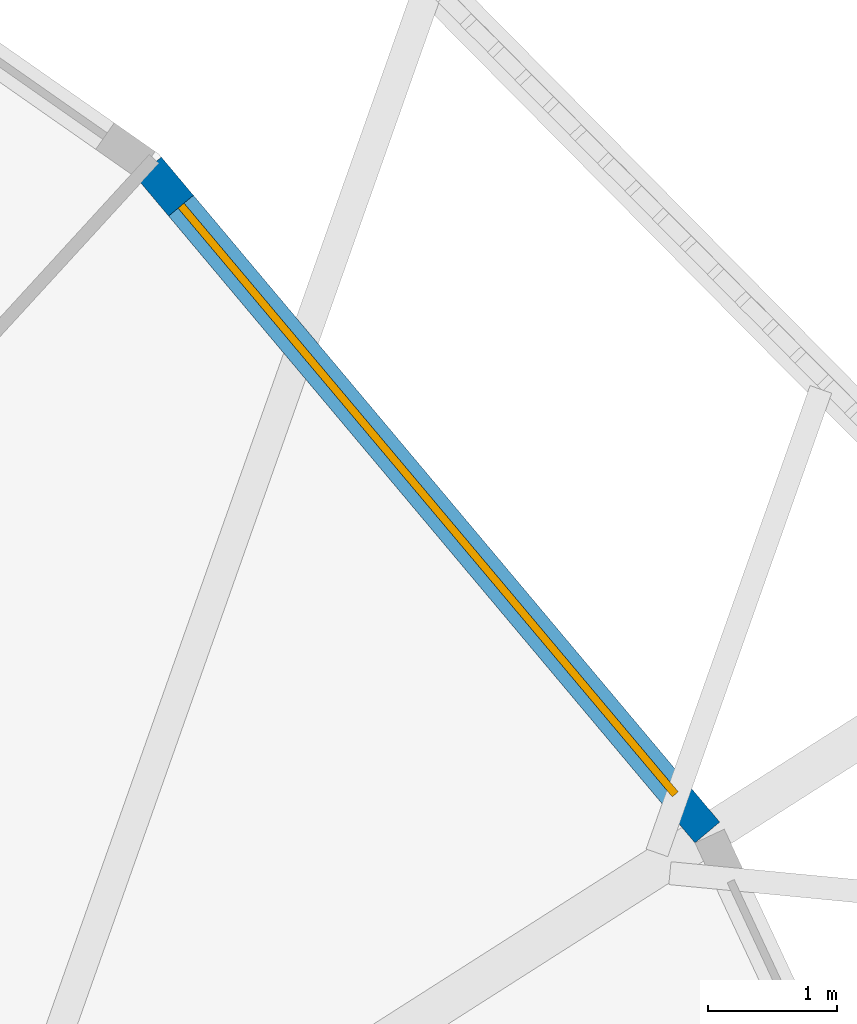
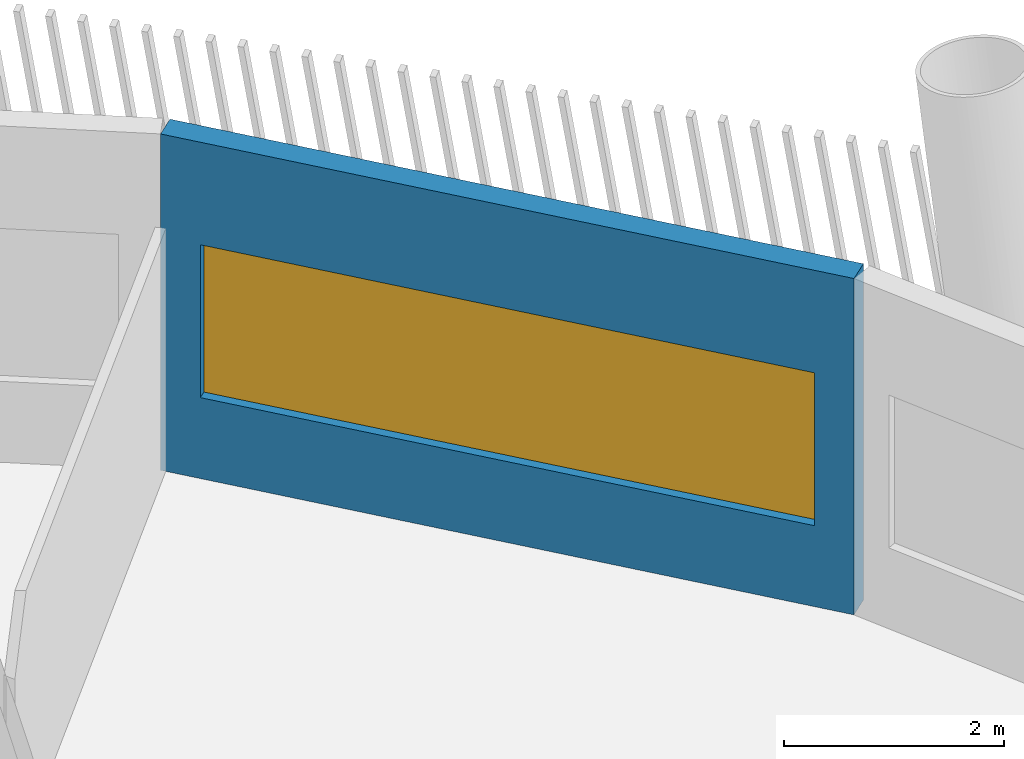
# One storey, part 7 of 15: 1 wall, 1 window, 1 opening.
"""IFC4 building model written with IfcOpenShell, lengths in metres."""

from ifc_helpers import new_model, si_unit, direction, frame, frame_2d, origin, place, context, subcontext, project, spatial, rectangle, extrude, material, layer, layer_set, type_object, element, fill, save


model = new_model("IFC4")

# Units and contexts
model_context = context("Model", 3, precision=1e-05, world=origin(), true_north=direction((0.0, 1.0)))
body_context = subcontext(model_context, "Body", "Model", "MODEL_VIEW")
ifc_project = project(units=[si_unit("LENGTHUNIT", "METRE"), si_unit("AREAUNIT", "SQUARE_METRE"), si_unit("VOLUMEUNIT", "CUBIC_METRE"), si_unit("PLANEANGLEUNIT", "RADIAN"), si_unit("MASSUNIT", "GRAM", prefix="KILO")], contexts=[model_context])

# Site, building, storey
site_placement = place(None, origin())
site = spatial("IfcSite", under=ifc_project, at=site_placement, CompositionType="ELEMENT")
building_placement = place(site_placement, origin())
building = spatial("IfcBuilding", under=site, at=building_placement, Name="Tarsis Ring Headquarters", CompositionType="ELEMENT")
storey_placement = place(building_placement, frame((0.0, 0.0, 204.300048828125)))
storey = spatial("IfcBuildingStorey", under=building, at=storey_placement, Name="L47", CompositionType="ELEMENT", Elevation=204.300048828125)

# Wall, opening, window
ifc_material_1 = material(Name="Terracotta clad insulated panel wall", Category="masonry")
ifc_layer = layer(ifc_material_1, 0.25)
ifc_layer_set = layer_set([ifc_layer], Name="Facade wall terracotta panel 250")
wall_type = type_object("IfcWallType", Name="Facade wall terracotta panel 250", PredefinedType="STANDARD", material=ifc_layer_set)
wall_placement = place(storey_placement, frame((21.806396484375, 13.92236328125, 0.0), z_axis=(0.0, 0.0, 1.0), x_axis=(-0.643052374048, 0.765822201448, 0.0)))
wall = element("IfcWall", 1, at=wall_placement, inside=storey, type_object=wall_type, Name="External wall L47-24", PredefinedType="STANDARD", context=body_context, shape_type="SweptSolid", body=[
    extrude(rectangle(XDim=6.721435546875, YDim=0.25, at=frame_2d((3.36083984375, 0.0))), origin(), (0.0, 0.0, 1.0), 3.739990234375),
])
opening_placement = place(wall_placement, frame((0.3857421875, 0.0, 0.89990234375)))
opening = element("IfcOpeningElement", 2, at=opening_placement, cuts=wall, Name="Opening WN07", PredefinedType="OPENING", context=body_context, shape_type="SweptSolid", body=[
    extrude(rectangle(XDim=5.949951171875, YDim=1.699951171875, at=frame_2d((2.97509765625, 0.85009765625))), frame((0.0, 0.135009765625, 0.0), z_axis=(0.0, -1.0, 0.0), x_axis=(1.0, 0.0, 0.0)), (0.0, 0.0, 1.0), 0.27001953125),
])
ifc_material_2 = material(Name="Aluminium framed double glazing", Category="aluminium")
window_type = type_object("IfcWindowType", Name="Facade window 5950 x 1700", PartitioningType="SINGLE_PANEL", PredefinedType="WINDOW", material=ifc_material_2)
window_placement = place(opening_placement, origin())
window = element("IfcWindow", 3, at=window_placement, inside=storey, type_object=window_type, Name="Window L47-24.1", OverallHeight=1.699951171875, OverallWidth=5.949951171875, PartitioningType="SINGLE_PANEL", PredefinedType="WINDOW", context=body_context, shape_type="SweptSolid", body=[
    extrude(rectangle(XDim=5.949951171875, YDim=1.699951171875, at=frame_2d((2.97509765625, 0.85009765625))), frame((0.0, 0.030029296875, 0.0), z_axis=(0.0, -1.0, 0.0), x_axis=(1.0, 0.0, 0.0)), (0.0, 0.0, 1.0), 0.06005859375),
])
fill(opening, window)

save(model, "model.ifc")
